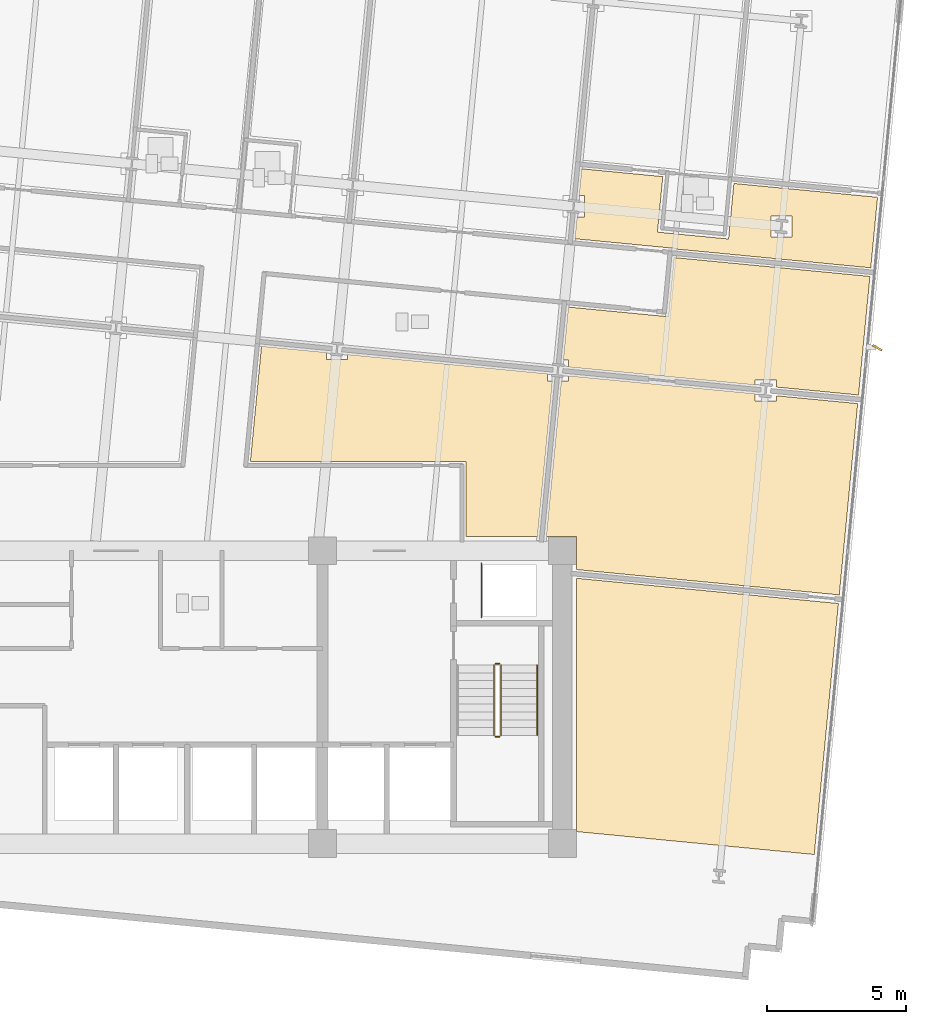
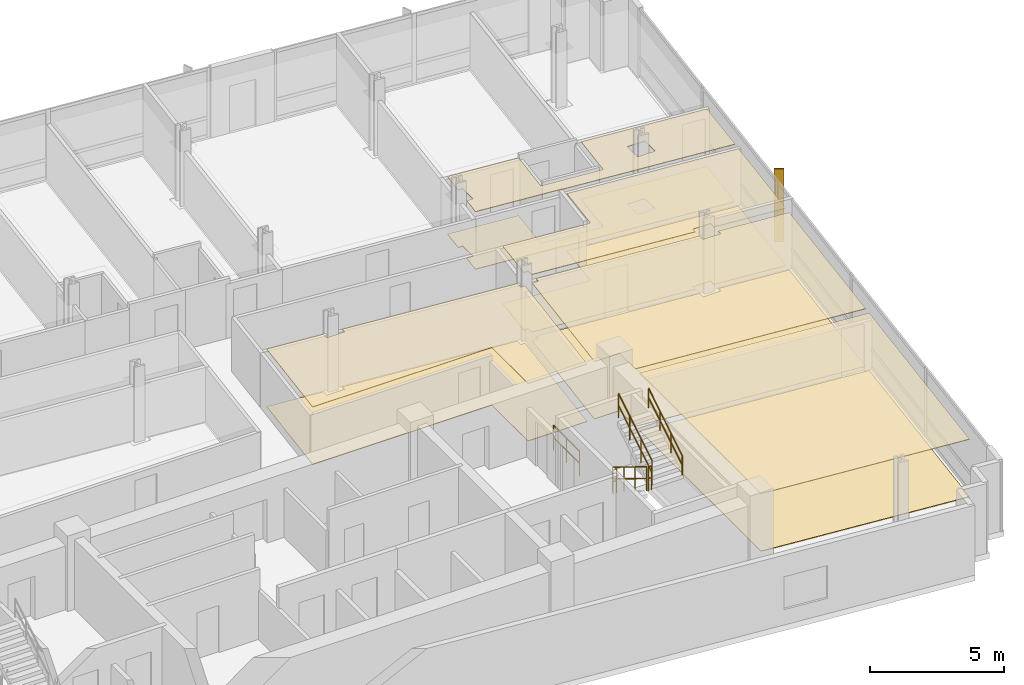
# One storey, part 15 of 17: 10 coverings, 6 railings, 1 shading device.
"""IFC4 building model written with IfcOpenShell, lengths in metres."""

from ifc_helpers import new_model, si_unit, direction, frame, origin, origin_2d, place, context, subcontext, project, spatial, polyline, rectangle, circle, outline, extrude, material, layer, layer_set, type_object, element, save


model = new_model("IFC4")

# Units and contexts
model_context = context("Model", 3, precision=1e-05, world=origin(), true_north=direction((0.0, 1.0)))
body_context = subcontext(model_context, "Body", "Model", "MODEL_VIEW")
ifc_project = project(units=[si_unit("LENGTHUNIT", "METRE"), si_unit("AREAUNIT", "SQUARE_METRE"), si_unit("VOLUMEUNIT", "CUBIC_METRE"), si_unit("PLANEANGLEUNIT", "RADIAN"), si_unit("MASSUNIT", "GRAM", prefix="KILO")], contexts=[model_context])

# Site, building, storey
site_placement = place(None, origin())
site = spatial("IfcSite", under=ifc_project, at=site_placement, CompositionType="ELEMENT")
building_placement = place(site_placement, origin())
building = spatial("IfcBuilding", under=site, at=building_placement, Name="Solmavex Isthmus Hotel", CompositionType="ELEMENT")
storey_placement = place(building_placement, frame((0.0, 0.0, 170.39990234375)))
storey = spatial("IfcBuildingStorey", under=building, at=storey_placement, Name="L46", CompositionType="ELEMENT", Elevation=170.39990234375)

# Coverings
ifc_material_1 = material(Name="Gypsum plasterboard lining", Category="gypsum")
ifc_layer_1 = layer(ifc_material_1, 0.030029296875)
ifc_layer_set_1 = layer_set([ifc_layer_1], Name="Gypsum plasterboard lining")
covering_type_1 = type_object("IfcCoveringType", Name="COV-CEIL-GYP", PredefinedType="CEILING", material=ifc_layer_set_1)
covering_1_placement = place(storey_placement, frame((0.0, 0.0, 2.6201171875)))
element("IfcCovering", 1, at=covering_1_placement, inside=storey, type_object=covering_type_1, Name="Suspended Acoustic Ceiling L46-SH08-LV", PredefinedType="CEILING", context=body_context, shape_type="SweptSolid", body=[
    extrude(outline(polyline([(16.5986328125, 10.22607421875), (16.786376953125, 10.22607421875), (16.786376953125, 9.466064453125), (16.525390625, 9.466064453125), (16.449951171875, 8.68359375), (20.033447265625, 8.33837890625), (20.031494140625, 8.318603515625), (27.05712890625, 7.64208984375), (27.300537109375, 10.17041015625), (22.150390625, 10.666259765625), (21.958740234375, 8.675537109375), (19.410400390625, 8.9208984375), (19.60205078125, 10.91162109375), (16.691650390625, 11.19189453125), (16.5986328125, 10.22607421875)]), holes=[polyline([(23.479736328125, 8.748291015625), (23.479736328125, 9.50830078125), (24.23974609375, 9.50830078125), (24.23974609375, 8.748291015625), (23.479736328125, 8.748291015625)])]), origin(), (0.0, 0.0, 1.0), 0.030029296875),
])
covering_2_placement = place(storey_placement, frame((0.0, 0.0, 2.6201171875)))
element("IfcCovering", 2, at=covering_2_placement, inside=storey, type_object=covering_type_1, Name="Suspended Acoustic Ceiling L46-FL11", PredefinedType="CEILING", context=body_context, shape_type="SweptSolid", body=[
    extrude(outline(polyline([(22.91357421875, 3.43994140625), (22.91357421875, 3.62744140625), (23.673583984375, 3.62744140625), (23.673583984375, 3.36669921875), (26.6181640625, 3.083251953125), (27.02734375, 7.33349609375), (20.001953125, 8.010009765625), (19.797607421875, 5.8896484375), (16.21435546875, 6.23486328125), (16.0322265625, 4.34521484375), (16.219970703125, 4.34521484375), (16.219970703125, 4.08447265625), (22.91357421875, 3.43994140625)])), origin(), (0.0, 0.0, 1.0), 0.030029296875),
])
covering_3_placement = place(storey_placement, frame((0.0, 0.0, 2.6201171875)))
element("IfcCovering", 3, at=covering_3_placement, inside=storey, type_object=covering_type_1, Name="Suspended Acoustic Ceiling L46-FL13", PredefinedType="CEILING", context=body_context, shape_type="SweptSolid", body=[
    extrude(outline(polyline([(8.300537109375, 4.535400390625), (8.300537109375, 4.347900390625), (7.540771484375, 4.347900390625), (7.540771484375, 4.608642578125), (5.21533203125, 4.83251953125), (4.81787109375, 0.705078125), (12.554931640625, 0.705078125), (12.554931640625, -1.9951171875), (15.1103515625, -1.9951171875), (15.647705078125, 3.585205078125), (15.4599609375, 3.585205078125), (15.4599609375, 3.84619140625), (8.300537109375, 4.535400390625)])), origin(), (0.0, 0.0, 1.0), 0.030029296875),
])
covering_4_placement = place(storey_placement, frame((0.0, 0.0, 2.6201171875)))
element("IfcCovering", 4, at=covering_4_placement, inside=storey, type_object=covering_type_1, Name="Suspended Acoustic Ceiling L46-FL14", PredefinedType="CEILING", context=body_context, shape_type="SweptSolid", body=[
    extrude(outline(polyline([(16.219970703125, 3.77294921875), (16.219970703125, 3.585205078125), (15.959228515625, 3.585205078125), (15.421875, -1.9951171875), (16.5048828125, -1.9951171875), (16.5048828125, -3.17626953125), (25.927978515625, -4.083740234375), (26.58837890625, 2.774658203125), (23.673583984375, 3.05517578125), (23.673583984375, 2.867431640625), (22.91357421875, 2.867431640625), (22.91357421875, 3.12841796875), (16.219970703125, 3.77294921875)])), origin(), (0.0, 0.0, 1.0), 0.030029296875),
])
covering_5_placement = place(storey_placement, frame((0.0, 0.0, 2.6201171875)))
element("IfcCovering", 5, at=covering_5_placement, inside=storey, type_object=covering_type_1, Name="Suspended Acoustic Ceiling L46-FL15", PredefinedType="CEILING", context=body_context, shape_type="SweptSolid", body=[
    extrude(outline(polyline([(16.5048828125, -3.48779296875), (16.5048828125, -12.569580078125), (25.03173828125, -13.390625), (25.309326171875, -10.509033203125), (25.898193359375, -4.392333984375), (16.5048828125, -3.48779296875)])), origin(), (0.0, 0.0, 1.0), 0.030029296875),
])
ifc_material_2 = material(Name="Travertine natural stone", Category="masonry")
ifc_layer_2 = layer(ifc_material_2, 0.02490234375)
ifc_layer_set_2 = layer_set([ifc_layer_2], Name="Travertine natural stone")
covering_type_2 = type_object("IfcCoveringType", Name="COV-FLOR-STN", PredefinedType="FLOORING", material=ifc_layer_set_2)
covering_6_placement = place(storey_placement, origin())
element("IfcCovering", 6, at=covering_6_placement, inside=storey, type_object=covering_type_2, Name="Stone and Timber Floor Finish L46-SH08-LV", PredefinedType="FLOORING", context=body_context, shape_type="SweptSolid", body=[
    extrude(outline(polyline([(16.5986328125, 10.22607421875), (16.786376953125, 10.22607421875), (16.786376953125, 9.466064453125), (16.525390625, 9.466064453125), (16.449951171875, 8.68359375), (20.033447265625, 8.33837890625), (20.031494140625, 8.318603515625), (27.05712890625, 7.64208984375), (27.300537109375, 10.17041015625), (22.150390625, 10.666259765625), (21.958740234375, 8.675537109375), (19.410400390625, 8.9208984375), (19.60205078125, 10.91162109375), (16.691650390625, 11.19189453125), (16.5986328125, 10.22607421875)]), holes=[polyline([(23.479736328125, 8.748291015625), (23.479736328125, 9.50830078125), (24.23974609375, 9.50830078125), (24.23974609375, 8.748291015625), (23.479736328125, 8.748291015625)])]), origin(), (0.0, 0.0, 1.0), 0.025146484375),
])
covering_7_placement = place(storey_placement, origin())
element("IfcCovering", 7, at=covering_7_placement, inside=storey, type_object=covering_type_2, Name="Stone and Timber Floor Finish L46-FL11", PredefinedType="FLOORING", context=body_context, shape_type="SweptSolid", body=[
    extrude(outline(polyline([(22.91357421875, 3.43994140625), (22.91357421875, 3.62744140625), (23.673583984375, 3.62744140625), (23.673583984375, 3.36669921875), (26.6181640625, 3.083251953125), (27.02734375, 7.33349609375), (20.001953125, 8.010009765625), (19.797607421875, 5.8896484375), (16.21435546875, 6.23486328125), (16.0322265625, 4.34521484375), (16.219970703125, 4.34521484375), (16.219970703125, 4.08447265625), (22.91357421875, 3.43994140625)])), origin(), (0.0, 0.0, 1.0), 0.025146484375),
])
covering_8_placement = place(storey_placement, origin())
element("IfcCovering", 8, at=covering_8_placement, inside=storey, type_object=covering_type_2, Name="Stone and Timber Floor Finish L46-FL13", PredefinedType="FLOORING", context=body_context, shape_type="SweptSolid", body=[
    extrude(outline(polyline([(8.300537109375, 4.535400390625), (8.300537109375, 4.347900390625), (7.540771484375, 4.347900390625), (7.540771484375, 4.608642578125), (5.21533203125, 4.83251953125), (4.81787109375, 0.705078125), (12.554931640625, 0.705078125), (12.554931640625, -1.9951171875), (15.1103515625, -1.9951171875), (15.647705078125, 3.585205078125), (15.4599609375, 3.585205078125), (15.4599609375, 3.84619140625), (8.300537109375, 4.535400390625)])), origin(), (0.0, 0.0, 1.0), 0.025146484375),
])
covering_9_placement = place(storey_placement, origin())
element("IfcCovering", 9, at=covering_9_placement, inside=storey, type_object=covering_type_2, Name="Stone and Timber Floor Finish L46-FL14", PredefinedType="FLOORING", context=body_context, shape_type="SweptSolid", body=[
    extrude(outline(polyline([(16.219970703125, 3.77294921875), (16.219970703125, 3.585205078125), (15.959228515625, 3.585205078125), (15.421875, -1.9951171875), (16.5048828125, -1.9951171875), (16.5048828125, -3.17626953125), (25.927978515625, -4.083740234375), (26.58837890625, 2.774658203125), (23.673583984375, 3.05517578125), (23.673583984375, 2.867431640625), (22.91357421875, 2.867431640625), (22.91357421875, 3.12841796875), (16.219970703125, 3.77294921875)])), origin(), (0.0, 0.0, 1.0), 0.025146484375),
])
covering_10_placement = place(storey_placement, origin())
element("IfcCovering", 10, at=covering_10_placement, inside=storey, type_object=covering_type_2, Name="Stone and Timber Floor Finish L46-FL15", PredefinedType="FLOORING", context=body_context, shape_type="SweptSolid", body=[
    extrude(outline(polyline([(16.5048828125, -3.48779296875), (16.5048828125, -12.569580078125), (25.03173828125, -13.390625), (25.309326171875, -10.509033203125), (25.898193359375, -4.392333984375), (16.5048828125, -3.48779296875)])), origin(), (0.0, 0.0, 1.0), 0.025146484375),
])

# Railings
ifc_material_3 = material(Name="Clear low-E laminated glass", Category="glass")
ifc_layer_3 = layer(ifc_material_3, 0.080078125)
ifc_layer_set_3 = layer_set([ifc_layer_3], Name="Clear low-E laminated glass")
railing_type_1 = type_object("IfcRailingType", Name="RAIL-ATRIUM-1120", PredefinedType="BALUSTRADE", material=ifc_layer_set_3)
railing_1_placement = place(storey_placement, frame((13.10009765625, -4.89990234375, 0.0)))
element("IfcRailing", 11, at=railing_1_placement, inside=storey, type_object=railing_type_1, Name="Guardrail Balustrade L46-RSE-01", PredefinedType="BALUSTRADE", context=body_context, shape_type="SweptSolid", body=[
    extrude(circle(Radius=0.02392578125, at=origin_2d()), frame((0.0, 0.0, 1.1259765625), z_axis=(0.0, 1.0, 0.0), x_axis=(-1.0, 0.0, 0.0)), (0.0, 0.0, 1.0), 1.949951171875),
    extrude(circle(Radius=0.02392578125, at=origin_2d()), frame((0.0, 0.0, 0.574951171875), z_axis=(0.0, 1.0, 0.0), x_axis=(-1.0, 0.0, 0.0)), (0.0, 0.0, 1.0), 1.949951171875),
    extrude(circle(Radius=0.02099609375, at=origin_2d()), origin(), (0.0, 0.0, 1.0), 1.101806640625),
    extrude(circle(Radius=0.02099609375, at=origin_2d()), frame((0.0, 0.97509765625, 0.0)), (0.0, 0.0, 1.0), 1.101806640625),
    extrude(circle(Radius=0.02099609375, at=origin_2d()), frame((0.0, 1.949951171875, 0.0)), (0.0, 0.0, 1.0), 1.101806640625),
])
ifc_material_4 = material(Name="Stainless steel 316", Category="steel")
ifc_layer_4 = layer(ifc_material_4, 0.06005859375)
ifc_layer_set_4 = layer_set([ifc_layer_4], Name="Stainless steel 316")
railing_type_2 = type_object("IfcRailingType", Name="RAIL-STAIR-GD", PredefinedType="GUARDRAIL", material=ifc_layer_set_4)
railing_2_placement = place(storey_placement, frame((13.550048828125, -6.60009765625, 0.172607421875)))
element("IfcRailing", 12, at=railing_2_placement, inside=storey, type_object=railing_type_2, Name="L46 ST-2 stair guard 1", PredefinedType="GUARDRAIL", context=body_context, shape_type="SweptSolid", body=[
    extrude(circle(Radius=0.02392578125, at=origin_2d()), frame((0.0, 0.0, 1.09619140625), z_axis=(0.0, -0.851400495292, 0.524516154772), x_axis=(1.0, 0.0, 0.0)), (0.0, 0.0, 1.0), 2.9599609375),
    extrude(circle(Radius=0.02392578125, at=origin_2d()), frame((0.0, 0.0, 0.56005859375), z_axis=(0.0, -0.851400495292, 0.524516154772), x_axis=(1.0, 0.0, 0.0)), (0.0, 0.0, 1.0), 2.9599609375),
    extrude(circle(Radius=0.02099609375, at=origin_2d()), origin(), (0.0, 0.0, 1.0), 1.072021484375),
    extrude(circle(Radius=0.02099609375, at=origin_2d()), frame((0.0, -0.840087890625, 0.517578125)), (0.0, 0.0, 1.0), 1.072021484375),
    extrude(circle(Radius=0.02099609375, at=origin_2d()), frame((0.0, -1.679931640625, 1.034912109375)), (0.0, 0.0, 1.0), 1.072021484375),
    extrude(circle(Radius=0.02099609375, at=origin_2d()), frame((0.0, -2.52001953125, 1.552490234375)), (0.0, 0.0, 1.0), 1.072021484375),
])
railing_3_placement = place(storey_placement, frame((13.60009765625, -9.169921875, 1.72509765625)))
element("IfcRailing", 13, at=railing_3_placement, inside=storey, type_object=railing_type_2, Name="L46 ST-2 stair guard 2", PredefinedType="GUARDRAIL", context=body_context, shape_type="SweptSolid", body=[
    extrude(circle(Radius=0.02392578125, at=origin_2d()), frame((0.0, 0.0, 1.09619140625), z_axis=(1.0, 0.0, 0.0), x_axis=(0.0, 1.0, 0.0)), (0.0, 0.0, 1.0), 0.14990234375),
    extrude(circle(Radius=0.02392578125, at=origin_2d()), frame((0.0, 0.0, 0.56005859375), z_axis=(1.0, 0.0, 0.0), x_axis=(0.0, 1.0, 0.0)), (0.0, 0.0, 1.0), 0.14990234375),
    extrude(circle(Radius=0.02099609375, at=origin_2d()), origin(), (0.0, 0.0, 1.0), 1.072021484375),
    extrude(circle(Radius=0.02099609375, at=origin_2d()), frame((0.14990234375, 0.0, 0.0)), (0.0, 0.0, 1.0), 1.072021484375),
])
railing_4_placement = place(storey_placement, frame((13.800048828125, -9.1201171875, 1.897705078125)))
element("IfcRailing", 14, at=railing_4_placement, inside=storey, type_object=railing_type_2, Name="L46 ST-2 stair guard 3", PredefinedType="GUARDRAIL", context=body_context, shape_type="SweptSolid", body=[
    extrude(circle(Radius=0.02392578125, at=origin_2d()), frame((0.0, 0.0, 1.09619140625), z_axis=(0.0, 0.851400495292, 0.524516154772), x_axis=(-1.0, 0.0, 0.0)), (0.0, 0.0, 1.0), 2.9599609375),
    extrude(circle(Radius=0.02392578125, at=origin_2d()), frame((0.0, 0.0, 0.56005859375), z_axis=(0.0, 0.851400495292, 0.524516154772), x_axis=(-1.0, 0.0, 0.0)), (0.0, 0.0, 1.0), 2.9599609375),
    extrude(circle(Radius=0.02099609375, at=origin_2d()), origin(), (0.0, 0.0, 1.0), 1.072021484375),
    extrude(circle(Radius=0.02099609375, at=origin_2d()), frame((0.0, 0.840087890625, 0.517578125)), (0.0, 0.0, 1.0), 1.072021484375),
    extrude(circle(Radius=0.02099609375, at=origin_2d()), frame((0.0, 1.679931640625, 1.034912109375)), (0.0, 0.0, 1.0), 1.072021484375),
    extrude(circle(Radius=0.02099609375, at=origin_2d()), frame((0.0, 2.52001953125, 1.552490234375)), (0.0, 0.0, 1.0), 1.072021484375),
])
railing_5_placement = place(storey_placement, frame((13.60009765625, -6.550048828125, 0.0)))
element("IfcRailing", 15, at=railing_5_placement, inside=storey, type_object=railing_type_2, Name="L46 ST-2 stair guard 4", PredefinedType="GUARDRAIL", context=body_context, shape_type="SweptSolid", body=[
    extrude(circle(Radius=0.02392578125, at=origin_2d()), frame((0.0, 0.0, 1.09619140625), z_axis=(1.0, 0.0, 0.0), x_axis=(0.0, 1.0, 0.0)), (0.0, 0.0, 1.0), 0.14990234375),
    extrude(circle(Radius=0.02392578125, at=origin_2d()), frame((0.0, 0.0, 0.56005859375), z_axis=(1.0, 0.0, 0.0), x_axis=(0.0, 1.0, 0.0)), (0.0, 0.0, 1.0), 0.14990234375),
    extrude(circle(Radius=0.02099609375, at=origin_2d()), origin(), (0.0, 0.0, 1.0), 1.072021484375),
    extrude(circle(Radius=0.02099609375, at=origin_2d()), frame((0.14990234375, 0.0, 0.0)), (0.0, 0.0, 1.0), 1.072021484375),
])
ifc_layer_5 = layer(ifc_material_4, 0.050048828125)
ifc_layer_set_5 = layer_set([ifc_layer_5], Name="Stainless steel 316")
railing_type_3 = type_object("IfcRailingType", Name="RAIL-STAIR-HR", PredefinedType="HANDRAIL", material=ifc_layer_set_5)
railing_6_placement = place(storey_placement, frame((15.10009765625, -9.1201171875, 1.897705078125)))
element("IfcRailing", 16, at=railing_6_placement, inside=storey, type_object=railing_type_3, Name="L46 ST-2 stair handrail 2", PredefinedType="HANDRAIL", context=body_context, shape_type="SweptSolid", body=[
    extrude(circle(Radius=0.02392578125, at=origin_2d()), frame((0.0, 0.0, 0.8759765625), z_axis=(0.0, 0.851400495292, 0.524516154772), x_axis=(-1.0, 0.0, 0.0)), (0.0, 0.0, 1.0), 2.9599609375),
    extrude(circle(Radius=0.02392578125, at=origin_2d()), frame((0.0, 0.0, 0.449951171875), z_axis=(0.0, 0.851400495292, 0.524516154772), x_axis=(-1.0, 0.0, 0.0)), (0.0, 0.0, 1.0), 2.9599609375),
    extrude(circle(Radius=0.02099609375, at=origin_2d()), origin(), (0.0, 0.0, 1.0), 0.851806640625),
    extrude(circle(Radius=0.02099609375, at=origin_2d()), frame((0.0, 0.840087890625, 0.517578125)), (0.0, 0.0, 1.0), 0.851806640625),
    extrude(circle(Radius=0.02099609375, at=origin_2d()), frame((0.0, 1.679931640625, 1.034912109375)), (0.0, 0.0, 1.0), 0.851806640625),
    extrude(circle(Radius=0.02099609375, at=origin_2d()), frame((0.0, 2.52001953125, 1.552490234375)), (0.0, 0.0, 1.0), 0.851806640625),
])

# Shading device
ifc_material_5 = material(Name="Aluminium alloy 6063-T6", Category="aluminium")
shading_device_type = type_object("IfcShadingDeviceType", Name="SHD-FIN-CHAMP", PredefinedType="USERDEFINED", material=ifc_material_5)
shading_device_placement = place(storey_placement, frame((27.298095703125, 4.770751953125, -0.139892578125), z_axis=(0.0, 0.0, 1.0), x_axis=(0.87035569594, -0.492423560103, 0.0)))
element("IfcShadingDevice", 17, at=shading_device_placement, inside=storey, type_object=shading_device_type, Name="Anodised Aluminium Solar Fin L46-E1", ObjectType="SOLAR_FIN", PredefinedType="USERDEFINED", context=body_context, shape_type="SweptSolid", body=[
    extrude(rectangle(XDim=0.3798828125, YDim=0.070068359375, at=origin_2d()), origin(), (0.0, 0.0, 1.0), 3.330078125),
])

save(model, "model.ifc")
